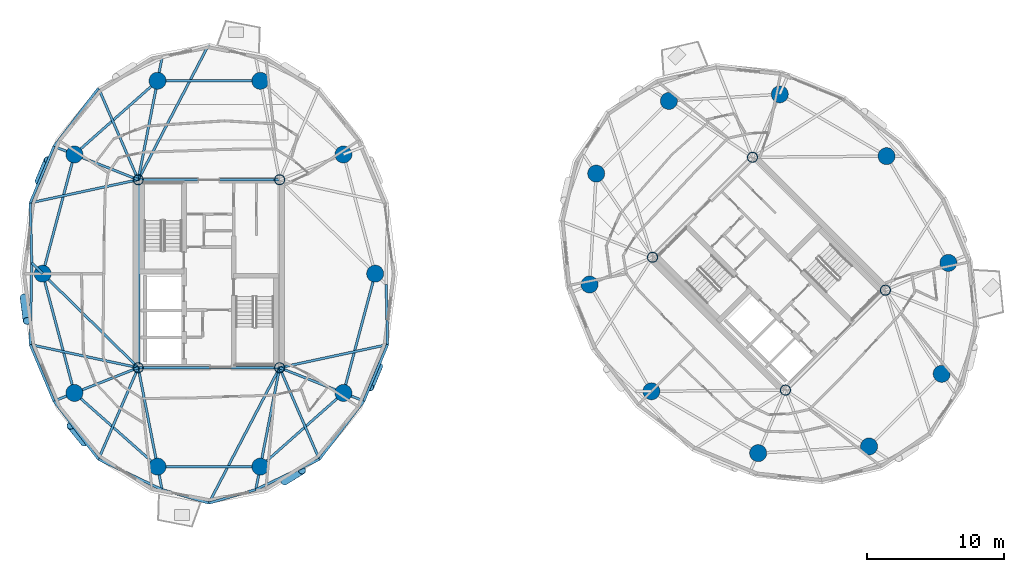
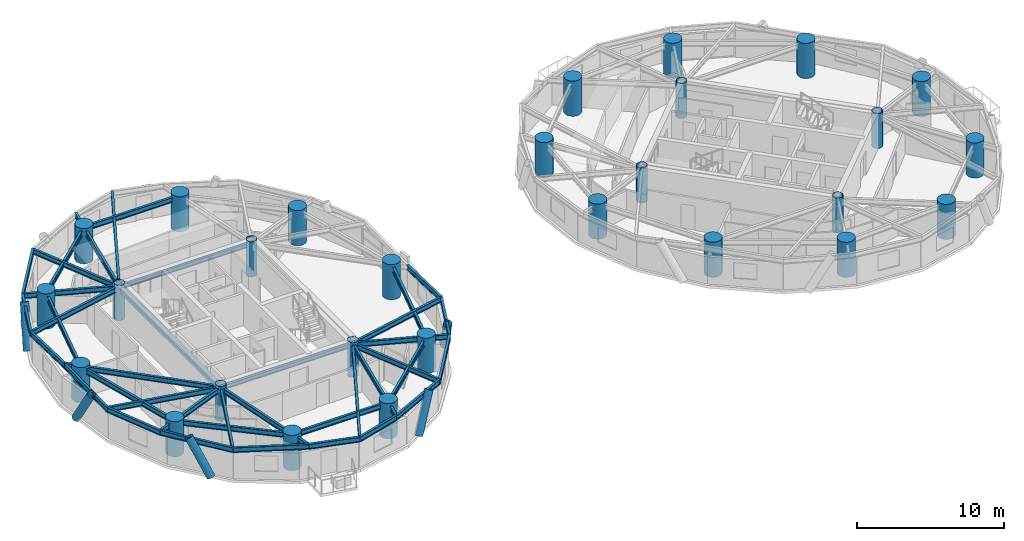
# One storey, part 1 of 16: 40 beams, 28 columns, 5 members.
"""IFC4 building model written with IfcOpenShell, lengths in metres."""

import ifcopenshell
import ifcopenshell.guid

model = None  # the IFC model being written
_history = None  # IfcOwnerHistory: only IFC2X3 demands one
_inside = {}  # id of a spatial element -> (the spatial element, [elements in it])
_under = {}  # id of a project, library or spatial element -> (it, [spatial elements below it])
_declared = {}  # id of a project -> (the project, [libraries it declares])
_typed = {}  # id of a type object -> (the type object, [elements of that type])
_made_of = {}  # id of a material, layer set ... -> (it, [elements and type objects made of it])


def new_model(schema):
    """Start an empty IFC model of exactly this schema.

    Asked for "IFC4X3", IfcOpenShell would pick the latest addendum, in which some entities
    have other attributes; the version numbers below select the first issue.
    IFC2X3 requires an IfcOwnerHistory on every rooted entity: one is made here for all.
    """
    global model, _history
    if schema == "IFC4X3":
        model = ifcopenshell.file(schema_version=(4, 3, 0, 0))
    else:
        model = ifcopenshell.file(schema=schema)
    _inside.clear()
    _under.clear()
    _declared.clear()
    _typed.clear()
    _made_of.clear()
    _history = None
    if model.schema == "IFC2X3":
        org = make("IfcOrganization", Name="unknown")
        user = make(
            "IfcPersonAndOrganization",
            ThePerson=make("IfcPerson", FamilyName="unknown"),
            TheOrganization=org,
        )
        app = make(
            "IfcApplication",
            ApplicationDeveloper=org,
            Version="unknown",
            ApplicationFullName="unknown",
            ApplicationIdentifier="unknown",
        )
        _history = make(
            "IfcOwnerHistory",
            OwningUser=user,
            OwningApplication=app,
            ChangeAction="ADDED",
            CreationDate=0,
        )
    return model


def make(cls, **values):
    """One entity of the class cls with the attributes given. An attribute that is None is left unset."""
    return model.create_entity(
        cls, **{name: value for name, value in values.items() if value is not None}
    )


def rooted(cls, **values):
    """An entity with a GlobalId (a new one), such as an element, a storey or a relation."""
    return make(cls, GlobalId=ifcopenshell.guid.new(), OwnerHistory=_history, **values)


def si_unit(unit_type, name, prefix=None):
    """IfcSIUnit, for example si_unit("LENGTHUNIT", "METRE", prefix="MILLI")."""
    return make("IfcSIUnit", UnitType=unit_type, Prefix=prefix, Name=name)


def assignment(units):
    """IfcUnitAssignment: the units of a project."""
    return None if units is None else make("IfcUnitAssignment", Units=units)


def point(xyz):
    """IfcCartesianPoint."""
    return None if xyz is None else make("IfcCartesianPoint", Coordinates=xyz)


def direction(xyz):
    """IfcDirection."""
    return None if xyz is None else make("IfcDirection", DirectionRatios=xyz)


def frame(location, z_axis=None, x_axis=None):
    """IfcAxis2Placement3D, a coordinate frame: its origin and axes. An axis left out is left unset."""
    return make(
        "IfcAxis2Placement3D",
        Location=point(location),
        Axis=direction(z_axis),
        RefDirection=direction(x_axis),
    )


def frame_2d(location, x_axis=None):
    """IfcAxis2Placement2D, a coordinate frame in the plane: its origin and x axis."""
    return make(
        "IfcAxis2Placement2D", Location=point(location), RefDirection=direction(x_axis)
    )


def origin():
    """The frame at (0, 0, 0) with its axes left unset."""
    return frame((0.0, 0.0, 0.0))


def origin_2d():
    """The frame at (0, 0) in the plane with its x axis left unset."""
    return frame_2d((0.0, 0.0))


def place(relative_to, where):
    """IfcLocalPlacement: puts the frame where relative to a parent placement (None: the world)."""
    return make(
        "IfcLocalPlacement", PlacementRelTo=relative_to, RelativePlacement=where
    )


def context(
    kind, dimensions, precision=None, world=None, true_north=None, identifier=None
):
    """IfcGeometricRepresentationContext, for example the 3D "Model" context."""
    return make(
        "IfcGeometricRepresentationContext",
        ContextIdentifier=identifier,
        ContextType=kind,
        CoordinateSpaceDimension=dimensions,
        Precision=precision,
        WorldCoordinateSystem=world,
        TrueNorth=true_north,
    )


def subcontext(parent, identifier, kind, view, scale=None):
    """IfcGeometricRepresentationSubContext, for example "Body" below "Model"."""
    return make(
        "IfcGeometricRepresentationSubContext",
        ContextIdentifier=identifier,
        ContextType=kind,
        ParentContext=parent,
        TargetScale=scale,
        TargetView=view,
    )


def project(units=None, contexts=None):
    """IfcProject with its units and contexts."""
    return rooted(
        "IfcProject",
        Name="project",
        RepresentationContexts=contexts,
        UnitsInContext=assignment(units),
    )


def spatial(cls, under=None, at=None, **own):
    """A site, building, storey or space (cls), placed at a placement, below another one or the project."""
    s = rooted(cls, ObjectPlacement=at, **own)
    if under is not None:
        _under.setdefault(under.id(), (under, []))[1].append(s)
    return s


def profile(cls, at=None, kind="AREA", **sizes):
    """A parametric profile (cls). Its sizes go by their IFC names, for example OverallWidth=200.0."""
    return make(cls, ProfileType=kind, Position=at, **sizes)


def hollow_rectangle(**sizes):
    """IfcRectangleHollowProfileDef."""
    return profile("IfcRectangleHollowProfileDef", **sizes)


def circle(**sizes):
    """IfcCircleProfileDef."""
    return profile("IfcCircleProfileDef", **sizes)


def hollow_circle(**sizes):
    """IfcCircleHollowProfileDef."""
    return profile("IfcCircleHollowProfileDef", **sizes)


def i_section(**sizes):
    """IfcIShapeProfileDef."""
    return profile("IfcIShapeProfileDef", **sizes)


def extrude(swept, where, along, depth):
    """IfcExtrudedAreaSolid: the profile swept, set in the frame where, extruded along a direction by depth."""
    return make(
        "IfcExtrudedAreaSolid",
        SweptArea=swept,
        Position=where,
        ExtrudedDirection=direction(along),
        Depth=depth,
    )


def shape(context_of_items, identifier, shape_type, items):
    """IfcShapeRepresentation: the items that make up one representation, for example the "Body"."""
    return make(
        "IfcShapeRepresentation",
        ContextOfItems=context_of_items,
        RepresentationIdentifier=identifier,
        RepresentationType=shape_type,
        Items=items,
    )


def material(Name=None, Category=None):
    """IfcMaterial."""
    return make("IfcMaterial", Name=Name, Category=Category)


def material_profile(
    of_material, cross_section, Name=None, Category=None, Priority=None
):
    """IfcMaterialProfile: a cross section and its material."""
    return make(
        "IfcMaterialProfile",
        Name=Name,
        Material=of_material,
        Profile=cross_section,
        Priority=Priority,
        Category=Category,
    )


def profile_set(profiles, Name=None, composite=None):
    """IfcMaterialProfileSet."""
    return make(
        "IfcMaterialProfileSet",
        Name=Name,
        MaterialProfiles=profiles,
        CompositeProfile=composite,
    )


def made_of(thing, what):
    """Note that an element or type object is made of a material, layer set ...; save() writes the relation."""
    if what is not None:
        _made_of.setdefault(what.id(), (what, []))[1].append(thing)
    return thing


def type_object(cls, material=None, **own):
    """A type object (cls), such as IfcWallType, which elements share."""
    return made_of(rooted(cls, **own), material)


def element(
    cls,
    number,
    at=None,
    inside=None,
    cuts=None,
    type_object=None,
    material=None,
    context=None,
    identifier="Body",
    shape_type=None,
    held_by="IfcProductDefinitionShape",
    body=None,
    shapes=None,
    **own,
):
    """One element of the class cls, such as IfcWall. Its Tag is "e" and its number.

    at: its placement. inside: the storey or other place that contains it. cuts: it is an
    opening in that element (IfcRelVoidsElement). A single representation is given by context,
    identifier, shape_type and body (its items); several are given by shapes. held_by: the class
    of the entity that holds the representations. save() writes the other relations.
    """
    e = rooted(cls, Tag="e%d" % number, ObjectPlacement=at, **own)
    if body is not None:
        shapes = [shape(context, identifier, shape_type, body)]
    if shapes is not None:
        e.Representation = make(held_by, Representations=shapes)
    if inside is not None:
        _inside.setdefault(inside.id(), (inside, []))[1].append(e)
    if cuts is not None:
        rooted(
            "IfcRelVoidsElement", RelatingBuildingElement=cuts, RelatedOpeningElement=e
        )
    if type_object is not None:
        _typed.setdefault(type_object.id(), (type_object, []))[1].append(e)
    return made_of(e, material)


def aggregate(whole, parts):
    """IfcRelAggregates: a whole, such as a stair, and the parts it consists of."""
    return rooted("IfcRelAggregates", RelatingObject=whole, RelatedObjects=parts)


def save(model, path):
    """Write the relations noted so far, then the file.

    IfcRelAggregates (storeys below a building ...), IfcRelContainedInSpatialStructure (elements
    in a storey), IfcRelDefinesByType, IfcRelAssociatesMaterial and IfcRelDeclares: one each for
    every whole, place, type object, material and project.
    """
    for whole, parts in _under.values():
        aggregate(whole, parts)
    for where, things in _inside.values():
        rooted(
            "IfcRelContainedInSpatialStructure",
            RelatedElements=things,
            RelatingStructure=where,
        )
    for kind, things in _typed.values():
        rooted("IfcRelDefinesByType", RelatedObjects=things, RelatingType=kind)
    for what, things in _made_of.values():
        rooted("IfcRelAssociatesMaterial", RelatedObjects=things, RelatingMaterial=what)
    for by, libraries in _declared.values():
        rooted("IfcRelDeclares", RelatingContext=by, RelatedDefinitions=libraries)
    model.write(path)


model = new_model("IFC4")

# Units and contexts
model_context = context("Model", 3, precision=1e-05, world=origin(), true_north=direction((0.0, 1.0)))
body_context = subcontext(model_context, "Body", "Model", "MODEL_VIEW")
ifc_project = project(units=[si_unit("LENGTHUNIT", "METRE"), si_unit("AREAUNIT", "SQUARE_METRE"), si_unit("VOLUMEUNIT", "CUBIC_METRE"), si_unit("PLANEANGLEUNIT", "RADIAN"), si_unit("MASSUNIT", "GRAM", prefix="KILO")], contexts=[model_context])

# Site, building, storey
site_placement = place(None, origin())
site = spatial("IfcSite", under=ifc_project, at=site_placement, CompositionType="ELEMENT")
building_placement = place(site_placement, origin())
building = spatial("IfcBuilding", under=site, at=building_placement, Name="Cununo Teusaquillo Station Towers", CompositionType="ELEMENT")
storey_placement = place(building_placement, frame((0.0, 0.0, 171.969970703125)))
storey = spatial("IfcBuildingStorey", under=building, at=storey_placement, Name="L54", CompositionType="ELEMENT", Elevation=171.969970703125)

# Columns
ifc_material_1 = material(Name="Steel EN 10025-2 S355J2", Category="steel")
ifc_material_profile_1 = material_profile(ifc_material_1, hollow_circle(Radius=0.3798828125, WallThickness=0.031982421875, at=origin_2d()), Name="CHS 760x32")
ifc_profile_set_1 = profile_set([ifc_material_profile_1], Name="Steel EN 10025-2 S355J2")
column_type_1 = type_object("IfcColumnType", Name="COL-CORE-Z2", PredefinedType="COLUMN", material=ifc_profile_set_1)
for number, where, z_axis, x_axis, name in (
    (1, (11.324951171875, 17.6201171875, 0.0), (0.0, 0.0, 1.0), (1.0, 0.0, 0.0), "L54 Tower A Core Column 1"),
    (2, (11.324951171875, 31.3798828125, 0.0), (0.0, 0.0, 1.0), (1.0, 0.0, 0.0), "L54 Tower A Core Column 2"),
    (3, (21.675048828125, 17.6201171875, 0.0), (0.0, 0.0, 1.0), (1.0, 0.0, 0.0), "L54 Tower A Core Column 3"),
    (4, (21.675048828125, 31.3798828125, 0.0), (0.0, 0.0, 1.0), (1.0, 0.0, 0.0), "L54 Tower A Core Column 4"),
    (5, (58.70556640625, 15.975830078125, 0.0), (0.0, 0.0, 1.0), (0.707106781187, 0.707106781187, 0.0), "L54 Tower B Core Column 1"),
    (6, (48.975830078125, 25.70556640625, 0.0), (0.0, 0.0, 1.0), (0.707106781187, 0.707106781187, 0.0), "L54 Tower B Core Column 2"),
    (7, (66.024169921875, 23.29443359375, 0.0), (0.0, 0.0, 1.0), (0.707106781187, 0.707106781187, 0.0), "L54 Tower B Core Column 3"),
    (8, (56.29443359375, 33.024169921875, 0.0), (0.0, 0.0, 1.0), (0.707106781187, 0.707106781187, 0.0), "L54 Tower B Core Column 4"),
):
    element("IfcColumn", number, at=place(storey_placement, frame(where, z_axis=z_axis, x_axis=x_axis)), inside=storey, type_object=column_type_1, Name=name, PredefinedType="COLUMN", context=body_context, shape_type="SweptSolid", body=[
        extrude(hollow_circle(Radius=0.3798828125, WallThickness=0.031982421875, at=origin_2d()), origin(), (0.0, 0.0, 1.0), 2.909912109375),
    ])
ifc_material_2 = material(Name="Concrete C60/75", Category="concrete")
ifc_material_profile_2 = material_profile(ifc_material_2, circle(Radius=0.625, at=origin_2d()), Name="RC-CIRC-1250")
ifc_profile_set_2 = profile_set([ifc_material_profile_2], Name="Concrete C60/75")
column_type_2 = type_object("IfcColumnType", Name="COL-MEGA-Z3", PredefinedType="USERDEFINED", material=ifc_profile_set_2)
for number, where, z_axis, x_axis, name in (
    (9, (28.672119140625, 24.5, 0.0), (0.0, 0.0, 1.0), (1.0, 0.0, 0.0), "L54 Tower A Perimeter Column V00"),
    (10, (26.347412109375, 33.228515625, 0.0), (0.0, 0.0, 1.0), (1.0, 0.0, 0.0), "L54 Tower A Perimeter Column V02"),
    (11, (20.261474609375, 38.623291015625, 0.0), (0.0, 0.0, 1.0), (1.0, 0.0, 0.0), "L54 Tower A Perimeter Column V04"),
    (12, (12.738525390625, 38.623291015625, 0.0), (0.0, 0.0, 1.0), (1.0, 0.0, 0.0), "L54 Tower A Perimeter Column V06"),
    (13, (6.652587890625, 33.228515625, 0.0), (0.0, 0.0, 1.0), (1.0, 0.0, 0.0), "L54 Tower A Perimeter Column V08"),
    (14, (4.327880859375, 24.5, 0.0), (0.0, 0.0, 1.0), (1.0, 0.0, 0.0), "L54 Tower A Perimeter Column V10"),
    (15, (6.652587890625, 15.771484375, 0.0), (0.0, 0.0, 1.0), (1.0, 0.0, 0.0), "L54 Tower A Perimeter Column V12"),
    (16, (12.738525390625, 10.376708984375, 0.0), (0.0, 0.0, 1.0), (1.0, 0.0, 0.0), "L54 Tower A Perimeter Column V14"),
    (17, (20.261474609375, 10.376708984375, 0.0), (0.0, 0.0, 1.0), (1.0, 0.0, 0.0), "L54 Tower A Perimeter Column V16"),
    (18, (26.347412109375, 15.771484375, 0.0), (0.0, 0.0, 1.0), (1.0, 0.0, 0.0), "L54 Tower A Perimeter Column V18"),
    (19, (66.10693359375, 33.10693359375, 0.0), (0.0, 0.0, 1.0), (1.0, 0.0, 0.0), "L54 Tower B Perimeter Column V00"),
    (20, (58.291015625, 37.63525390625, 0.0), (0.0, 0.0, 1.0), (1.0, 0.0, 0.0), "L54 Tower B Perimeter Column V02"),
    (21, (50.173095703125, 37.146240234375, 0.0), (0.0, 0.0, 1.0), (1.0, 0.0, 0.0), "L54 Tower B Perimeter Column V04"),
    (22, (44.853759765625, 31.826904296875, 0.0), (0.0, 0.0, 1.0), (1.0, 0.0, 0.0), "L54 Tower B Perimeter Column V06"),
    (23, (44.36474609375, 23.708984375, 0.0), (0.0, 0.0, 1.0), (1.0, 0.0, 0.0), "L54 Tower B Perimeter Column V08"),
    (24, (48.89306640625, 15.89306640625, 0.0), (0.0, 0.0, 1.0), (1.0, 0.0, 0.0), "L54 Tower B Perimeter Column V10"),
    (25, (56.708984375, 11.36474609375, 0.0), (0.0, 0.0, 1.0), (1.0, 0.0, 0.0), "L54 Tower B Perimeter Column V12"),
    (26, (64.826904296875, 11.853759765625, 0.0), (0.0, 0.0, 1.0), (1.0, 0.0, 0.0), "L54 Tower B Perimeter Column V14"),
    (27, (70.146240234375, 17.173095703125, 0.0), (0.0, 0.0, 1.0), (1.0, 0.0, 0.0), "L54 Tower B Perimeter Column V16"),
    (28, (70.63525390625, 25.291015625, 0.0), (0.0, 0.0, 1.0), (1.0, 0.0, 0.0), "L54 Tower B Perimeter Column V18"),
):
    element("IfcColumn", number, at=place(storey_placement, frame(where, z_axis=z_axis, x_axis=x_axis)), inside=storey, type_object=column_type_2, Name=name, ObjectType="MEGA COLUMN", PredefinedType="USERDEFINED", context=body_context, shape_type="SweptSolid", body=[
        extrude(circle(Radius=0.625, at=origin_2d()), origin(), (0.0, 0.0, 1.0), 2.909912109375),
    ])

# Beams
ifc_material_3 = material(Name="Steel EN 10025-2 S355J2", Category="steel")
ifc_material_profile_3 = material_profile(ifc_material_3, hollow_rectangle(XDim=0.25, YDim=0.449951171875, WallThickness=0.01611328125, at=origin_2d()), Name="RHS 450x250x16")
ifc_profile_set_3 = profile_set([ifc_material_profile_3], Name="Steel EN 10025-2 S355J2")
beam_type_1 = type_object("IfcBeamType", Name="BM-COUP-1", PredefinedType="USERDEFINED", material=ifc_profile_set_3)
beam_1_placement = place(storey_placement, frame((11.324951171875, 17.6201171875, 2.465087890625), z_axis=(0.0, 1.0, 0.0), x_axis=(-1.0, 0.0, 0.0)))
element("IfcBeam", 29, at=beam_1_placement, inside=storey, type_object=beam_type_1, Name="L54 Tower A Core Beam 1", ObjectType="COUPLING BEAM", PredefinedType="USERDEFINED", context=body_context, shape_type="SweptSolid", body=[
    extrude(hollow_rectangle(XDim=0.25, YDim=0.449951171875, WallThickness=0.01611328125, at=origin_2d()), origin(), (0.0, 0.0, 1.0), 13.759765625),
])
ifc_material_4 = material(Name="Steel ASTM A572 Grade 50", Category="steel")
ifc_material_profile_4 = material_profile(ifc_material_4, i_section(OverallWidth=0.180908203125, OverallDepth=0.4169921875, WebThickness=0.010986328125, FlangeThickness=0.018310546875, FilletRadius=0.012939453125, at=origin_2d()), Name="W16X57")
ifc_profile_set_4 = profile_set([ifc_material_profile_4], Name="Steel ASTM A572 Grade 50")
beam_type_2 = type_object("IfcBeamType", Name="BM-JOIST-1", PredefinedType="JOIST", material=ifc_profile_set_4)
beam_2_placement = place(storey_placement, frame((11.324951171875, 31.3798828125, 2.4814453125), z_axis=(0.462884645231, 0.886418527113, 0.0), x_axis=(-0.886418527113, 0.462884645231, 0.0)))
element("IfcBeam", 30, at=beam_2_placement, inside=storey, type_object=beam_type_2, Name="L54 Tower A Radial Spandrel Joist V05", PredefinedType="JOIST", context=body_context, shape_type="SweptSolid", body=[
    extrude(i_section(OverallWidth=0.180908203125, OverallDepth=0.4169921875, WebThickness=0.010986328125, FlangeThickness=0.018310546875, FilletRadius=0.012939453125, at=origin_2d()), origin(), (0.0, 0.0, 1.0), 11.179931640625),
])
beam_3_placement = place(storey_placement, frame((11.324951171875, 31.3798828125, 2.4814453125), z_axis=(-0.397903718051, 0.917427180304, 0.0), x_axis=(-0.917427180304, -0.397903718051, 0.0)))
element("IfcBeam", 31, at=beam_3_placement, inside=storey, type_object=beam_type_2, Name="L54 Tower A Radial Spandrel Joist V07", PredefinedType="JOIST", context=body_context, shape_type="SweptSolid", body=[
    extrude(i_section(OverallWidth=0.180908203125, OverallDepth=0.4169921875, WebThickness=0.010986328125, FlangeThickness=0.018310546875, FilletRadius=0.012939453125, at=origin_2d()), origin(), (0.0, 0.0, 1.0), 7.306884765625),
])
for number, where, z_axis, x_axis, name in (
    (32, (11.324951171875, 31.3798828125, 2.4814453125), (-0.977854548984, -0.209285644589, 0.0), (0.209285644589, -0.977854548984, 0.0), "L54 Tower A Radial Spandrel Joist V09"),
    (33, (11.324951171875, 17.6201171875, 2.4814453125), (-0.977854548984, 0.209285644589, 0.0), (-0.209285644589, -0.977854548984, 0.0), "L54 Tower A Radial Spandrel Joist V11"),
):
    element("IfcBeam", number, at=place(storey_placement, frame(where, z_axis=z_axis, x_axis=x_axis)), inside=storey, type_object=beam_type_2, Name=name, PredefinedType="JOIST", context=body_context, shape_type="SweptSolid", body=[
        extrude(i_section(OverallWidth=0.180908203125, OverallDepth=0.4169921875, WebThickness=0.010986328125, FlangeThickness=0.018310546875, FilletRadius=0.012939453125, at=origin_2d()), origin(), (0.0, 0.0, 1.0), 8.081787109375),
    ])
beam_4_placement = place(storey_placement, frame((11.324951171875, 17.6201171875, 2.4814453125), z_axis=(-0.397903718051, -0.917427180304, 0.0), x_axis=(0.917427180304, -0.397903718051, 0.0)))
element("IfcBeam", 34, at=beam_4_placement, inside=storey, type_object=beam_type_2, Name="L54 Tower A Radial Spandrel Joist V13", PredefinedType="JOIST", context=body_context, shape_type="SweptSolid", body=[
    extrude(i_section(OverallWidth=0.180908203125, OverallDepth=0.4169921875, WebThickness=0.010986328125, FlangeThickness=0.018310546875, FilletRadius=0.012939453125, at=origin_2d()), origin(), (0.0, 0.0, 1.0), 7.306884765625),
])
beam_5_placement = place(storey_placement, frame((21.675048828125, 17.6201171875, 2.4814453125), z_axis=(-0.462884645231, -0.886418527113, 0.0), x_axis=(0.886418527113, -0.462884645231, 0.0)))
element("IfcBeam", 35, at=beam_5_placement, inside=storey, type_object=beam_type_2, Name="L54 Tower A Radial Spandrel Joist V15", PredefinedType="JOIST", context=body_context, shape_type="SweptSolid", body=[
    extrude(i_section(OverallWidth=0.180908203125, OverallDepth=0.4169921875, WebThickness=0.010986328125, FlangeThickness=0.018310546875, FilletRadius=0.012939453125, at=origin_2d()), origin(), (0.0, 0.0, 1.0), 11.179931640625),
])
beam_6_placement = place(storey_placement, frame((21.675048828125, 17.6201171875, 2.4814453125), z_axis=(0.397903718051, -0.917427180304, 0.0), x_axis=(0.917427180304, 0.397903718051, 0.0)))
element("IfcBeam", 36, at=beam_6_placement, inside=storey, type_object=beam_type_2, Name="L54 Tower A Radial Spandrel Joist V17", PredefinedType="JOIST", context=body_context, shape_type="SweptSolid", body=[
    extrude(i_section(OverallWidth=0.180908203125, OverallDepth=0.4169921875, WebThickness=0.010986328125, FlangeThickness=0.018310546875, FilletRadius=0.012939453125, at=origin_2d()), origin(), (0.0, 0.0, 1.0), 7.306884765625),
])
beam_7_placement = place(storey_placement, frame((21.675048828125, 17.6201171875, 2.4814453125), z_axis=(0.977854548984, 0.209285644589, 0.0), x_axis=(-0.209285644589, 0.977854548984, 0.0)))
element("IfcBeam", 37, at=beam_7_placement, inside=storey, type_object=beam_type_2, Name="L54 Tower A Radial Spandrel Joist V19", PredefinedType="JOIST", context=body_context, shape_type="SweptSolid", body=[
    extrude(i_section(OverallWidth=0.180908203125, OverallDepth=0.4169921875, WebThickness=0.010986328125, FlangeThickness=0.018310546875, FilletRadius=0.012939453125, at=origin_2d()), origin(), (0.0, 0.0, 1.0), 8.081787109375),
])
ifc_material_5 = material(Name="Steel ASTM A572 Grade 50", Category="steel")
ifc_material_profile_5 = material_profile(ifc_material_5, i_section(OverallWidth=0.2041015625, OverallDepth=0.35009765625, WebThickness=0.008544921875, FlangeThickness=0.01513671875, FilletRadius=0.011962890625, at=origin_2d()), Name="W14X48")
ifc_profile_set_5 = profile_set([ifc_material_profile_5], Name="Steel ASTM A572 Grade 50")
beam_type_3 = type_object("IfcBeamType", Name="BM-LINTEL-1", PredefinedType="LINTEL", material=ifc_profile_set_5)
for number, where, z_axis, x_axis, name in (
    (38, (11.324951171875, 17.6201171875, 2.51513671875), (1.0, 0.0, 0.0), (0.0, 1.0, 0.0), "L54 Tower A Core Beam 3"),
    (39, (11.324951171875, 31.3798828125, 2.51513671875), (1.0, 0.0, 0.0), (0.0, 1.0, 0.0), "L54 Tower A Core Beam 4"),
):
    element("IfcBeam", number, at=place(storey_placement, frame(where, z_axis=z_axis, x_axis=x_axis)), inside=storey, type_object=beam_type_3, Name=name, PredefinedType="LINTEL", context=body_context, shape_type="SweptSolid", body=[
        extrude(i_section(OverallWidth=0.2041015625, OverallDepth=0.35009765625, WebThickness=0.008544921875, FlangeThickness=0.01513671875, FilletRadius=0.011962890625, at=origin_2d()), origin(), (0.0, 0.0, 1.0), 10.35009765625),
    ])
ifc_material_6 = material(Name="Steel ASTM A572 Grade 50", Category="steel")
ifc_material_profile_6 = material_profile(ifc_material_6, i_section(OverallWidth=0.180908203125, OverallDepth=0.4169921875, WebThickness=0.010986328125, FlangeThickness=0.018310546875, FilletRadius=0.012939453125, at=origin_2d()), Name="W16X57")
ifc_profile_set_6 = profile_set([ifc_material_profile_6], Name="Steel ASTM A572 Grade 50")
beam_type_4 = type_object("IfcBeamType", Name="BM-RAD-G2", PredefinedType="BEAM", material=ifc_profile_set_6)
beam_8_placement = place(storey_placement, frame((11.324951171875, 31.3798828125, 2.4814453125), z_axis=(0.191557018874, 0.981481486591, 0.0), x_axis=(-0.981481486591, 0.191557018874, 0.0)))
element("IfcBeam", 40, at=beam_8_placement, inside=storey, type_object=beam_type_4, Name="L54 Tower A Continuous Overhanging Radial Girder 04", PredefinedType="BEAM", context=body_context, shape_type="SweptSolid", body=[
    extrude(i_section(OverallWidth=0.180908203125, OverallDepth=0.4169921875, WebThickness=0.010986328125, FlangeThickness=0.018310546875, FilletRadius=0.012939453125, at=origin_2d()), origin(), (0.0, 0.0, 1.0), 9.097412109375),
])
beam_9_placement = place(storey_placement, frame((11.324951171875, 31.3798828125, 2.4814453125), z_axis=(-0.929866438974, 0.367897275974, 0.0), x_axis=(-0.367897275974, -0.929866438974, 0.0)))
element("IfcBeam", 41, at=beam_9_placement, inside=storey, type_object=beam_type_4, Name="L54 Tower A Continuous Overhanging Radial Girder 05", PredefinedType="BEAM", context=body_context, shape_type="SweptSolid", body=[
    extrude(i_section(OverallWidth=0.180908203125, OverallDepth=0.4169921875, WebThickness=0.010986328125, FlangeThickness=0.018310546875, FilletRadius=0.012939453125, at=origin_2d()), origin(), (0.0, 0.0, 1.0), 6.632080078125),
])
beam_10_placement = place(storey_placement, frame((11.324951171875, 17.6201171875, 2.4814453125), z_axis=(-0.713052701438, 0.701110437073, 0.0), x_axis=(-0.701110437073, -0.713052701438, 0.0)))
element("IfcBeam", 42, at=beam_10_placement, inside=storey, type_object=beam_type_4, Name="L54 Tower A Radial Girder 06A", PredefinedType="BEAM", context=body_context, shape_type="SweptSolid", body=[
    extrude(i_section(OverallWidth=0.180908203125, OverallDepth=0.4169921875, WebThickness=0.010986328125, FlangeThickness=0.018310546875, FilletRadius=0.012939453125, at=origin_2d()), origin(), (0.0, 0.0, 1.0), 9.812744140625),
])
beam_11_placement = place(storey_placement, frame((4.327880859375, 24.5, 2.4814453125), z_axis=(-0.713045362701, 0.701117900734, 0.0), x_axis=(-0.701117900734, -0.713045362701, 0.0)))
element("IfcBeam", 43, at=beam_11_placement, inside=storey, type_object=beam_type_4, Name="L54 Tower A Perimeter Overhang Girder 06B", PredefinedType="BEAM", context=body_context, shape_type="SweptSolid", body=[
    extrude(i_section(OverallWidth=0.180908203125, OverallDepth=0.4169921875, WebThickness=0.010986328125, FlangeThickness=0.018310546875, FilletRadius=0.012939453125, at=origin_2d()), origin(), (0.0, 0.0, 1.0), 1.125732421875),
])
beam_12_placement = place(storey_placement, frame((11.324951171875, 17.6201171875, 2.4814453125), z_axis=(-0.929866438974, -0.367897275974, 0.0), x_axis=(0.367897275974, -0.929866438974, 0.0)))
element("IfcBeam", 44, at=beam_12_placement, inside=storey, type_object=beam_type_4, Name="L54 Tower A Continuous Overhanging Radial Girder 07", PredefinedType="BEAM", context=body_context, shape_type="SweptSolid", body=[
    extrude(i_section(OverallWidth=0.180908203125, OverallDepth=0.4169921875, WebThickness=0.010986328125, FlangeThickness=0.018310546875, FilletRadius=0.012939453125, at=origin_2d()), origin(), (0.0, 0.0, 1.0), 6.632080078125),
])
for number, where, z_axis, x_axis, name in (
    (45, (11.324951171875, 17.6201171875, 2.4814453125), (0.191557018874, -0.981481486591, 0.0), (0.981481486591, 0.191557018874, 0.0), "L54 Tower A Continuous Overhanging Radial Girder 08"),
    (46, (21.675048828125, 17.6201171875, 2.4814453125), (-0.191557018874, -0.981481486591, 0.0), (0.981481486591, -0.191557018874, 0.0), "L54 Tower A Continuous Overhanging Radial Girder 09"),
):
    element("IfcBeam", number, at=place(storey_placement, frame(where, z_axis=z_axis, x_axis=x_axis)), inside=storey, type_object=beam_type_4, Name=name, PredefinedType="BEAM", context=body_context, shape_type="SweptSolid", body=[
        extrude(i_section(OverallWidth=0.180908203125, OverallDepth=0.4169921875, WebThickness=0.010986328125, FlangeThickness=0.018310546875, FilletRadius=0.012939453125, at=origin_2d()), origin(), (0.0, 0.0, 1.0), 9.097412109375),
    ])
beam_13_placement = place(storey_placement, frame((21.675048828125, 17.6201171875, 2.4814453125), z_axis=(0.929866438974, -0.367897275974, 0.0), x_axis=(0.367897275974, 0.929866438974, 0.0)))
element("IfcBeam", 47, at=beam_13_placement, inside=storey, type_object=beam_type_4, Name="L54 Tower A Continuous Overhanging Radial Girder 10", PredefinedType="BEAM", context=body_context, shape_type="SweptSolid", body=[
    extrude(i_section(OverallWidth=0.180908203125, OverallDepth=0.4169921875, WebThickness=0.010986328125, FlangeThickness=0.018310546875, FilletRadius=0.012939453125, at=origin_2d()), origin(), (0.0, 0.0, 1.0), 6.632080078125),
])
ifc_material_7 = material(Name="Steel ASTM A572 Grade 50", Category="steel")
ifc_material_profile_7 = material_profile(ifc_material_7, i_section(OverallWidth=0.180908203125, OverallDepth=0.4169921875, WebThickness=0.010986328125, FlangeThickness=0.018310546875, FilletRadius=0.012939453125, at=origin_2d()), Name="W16X57")
ifc_profile_set_7 = profile_set([ifc_material_profile_7], Name="Steel ASTM A572 Grade 50")
beam_type_5 = type_object("IfcBeamType", Name="BM-RING-Z3", PredefinedType="SPANDREL", material=ifc_profile_set_7)
beam_14_placement = place(storey_placement, frame((20.261474609375, 38.623291015625, 2.4814453125), z_axis=(-1.0, 0.0, 0.0), x_axis=(0.0, -1.0, 0.0)))
element("IfcBeam", 48, at=beam_14_placement, inside=storey, type_object=beam_type_5, Name="L54 Tower A Structural Column Ring Girder 03", PredefinedType="SPANDREL", context=body_context, shape_type="SweptSolid", body=[
    extrude(i_section(OverallWidth=0.180908203125, OverallDepth=0.4169921875, WebThickness=0.010986328125, FlangeThickness=0.018310546875, FilletRadius=0.012939453125, at=origin_2d()), origin(), (0.0, 0.0, 1.0), 7.52294921875),
])
beam_15_placement = place(storey_placement, frame((12.738525390625, 38.623291015625, 2.4814453125), z_axis=(-0.74832120039, -0.66333655187, 0.0), x_axis=(0.66333655187, -0.74832120039, 0.0)))
element("IfcBeam", 49, at=beam_15_placement, inside=storey, type_object=beam_type_5, Name="L54 Tower A Structural Column Ring Girder 04", PredefinedType="SPANDREL", context=body_context, shape_type="SweptSolid", body=[
    extrude(i_section(OverallWidth=0.180908203125, OverallDepth=0.4169921875, WebThickness=0.010986328125, FlangeThickness=0.018310546875, FilletRadius=0.012939453125, at=origin_2d()), origin(), (0.0, 0.0, 1.0), 8.1328125),
])
for number, where, z_axis, x_axis, name in (
    (50, (6.652587890625, 33.228515625, 2.4814453125), (-0.257363196347, -0.966314744359, 0.0), (0.966314744359, -0.257363196347, 0.0), "L54 Tower A Structural Column Ring Girder 05"),
    (51, (4.327880859375, 24.5, 2.4814453125), (0.257363196347, -0.966314744359, 0.0), (0.966314744359, 0.257363196347, 0.0), "L54 Tower A Structural Column Ring Girder 06"),
):
    element("IfcBeam", number, at=place(storey_placement, frame(where, z_axis=z_axis, x_axis=x_axis)), inside=storey, type_object=beam_type_5, Name=name, PredefinedType="SPANDREL", context=body_context, shape_type="SweptSolid", body=[
        extrude(i_section(OverallWidth=0.180908203125, OverallDepth=0.4169921875, WebThickness=0.010986328125, FlangeThickness=0.018310546875, FilletRadius=0.012939453125, at=origin_2d()), origin(), (0.0, 0.0, 1.0), 9.03271484375),
    ])
beam_16_placement = place(storey_placement, frame((6.652587890625, 15.771484375, 2.4814453125), z_axis=(0.74832120039, -0.66333655187, 0.0), x_axis=(0.66333655187, 0.74832120039, 0.0)))
element("IfcBeam", 52, at=beam_16_placement, inside=storey, type_object=beam_type_5, Name="L54 Tower A Structural Column Ring Girder 07", PredefinedType="SPANDREL", context=body_context, shape_type="SweptSolid", body=[
    extrude(i_section(OverallWidth=0.180908203125, OverallDepth=0.4169921875, WebThickness=0.010986328125, FlangeThickness=0.018310546875, FilletRadius=0.012939453125, at=origin_2d()), origin(), (0.0, 0.0, 1.0), 8.1328125),
])
beam_17_placement = place(storey_placement, frame((12.738525390625, 10.376708984375, 2.4814453125), z_axis=(1.0, 0.0, 0.0), x_axis=(0.0, 1.0, 0.0)))
element("IfcBeam", 53, at=beam_17_placement, inside=storey, type_object=beam_type_5, Name="L54 Tower A Structural Column Ring Girder 08", PredefinedType="SPANDREL", context=body_context, shape_type="SweptSolid", body=[
    extrude(i_section(OverallWidth=0.180908203125, OverallDepth=0.4169921875, WebThickness=0.010986328125, FlangeThickness=0.018310546875, FilletRadius=0.012939453125, at=origin_2d()), origin(), (0.0, 0.0, 1.0), 7.52294921875),
])
beam_18_placement = place(storey_placement, frame((20.261474609375, 10.376708984375, 2.4814453125), z_axis=(0.74832120039, 0.66333655187, 0.0), x_axis=(-0.66333655187, 0.74832120039, 0.0)))
element("IfcBeam", 54, at=beam_18_placement, inside=storey, type_object=beam_type_5, Name="L54 Tower A Structural Column Ring Girder 09", PredefinedType="SPANDREL", context=body_context, shape_type="SweptSolid", body=[
    extrude(i_section(OverallWidth=0.180908203125, OverallDepth=0.4169921875, WebThickness=0.010986328125, FlangeThickness=0.018310546875, FilletRadius=0.012939453125, at=origin_2d()), origin(), (0.0, 0.0, 1.0), 8.1328125),
])
beam_19_placement = place(storey_placement, frame((26.347412109375, 15.771484375, 2.4814453125), z_axis=(0.257363196347, 0.966314744359, 0.0), x_axis=(-0.966314744359, 0.257363196347, 0.0)))
element("IfcBeam", 55, at=beam_19_placement, inside=storey, type_object=beam_type_5, Name="L54 Tower A Structural Column Ring Girder 10", PredefinedType="SPANDREL", context=body_context, shape_type="SweptSolid", body=[
    extrude(i_section(OverallWidth=0.180908203125, OverallDepth=0.4169921875, WebThickness=0.010986328125, FlangeThickness=0.018310546875, FilletRadius=0.012939453125, at=origin_2d()), origin(), (0.0, 0.0, 1.0), 9.03271484375),
])
beam_20_placement = place(storey_placement, frame((8.41748046875, 38.08349609375, 2.4814453125), z_axis=(-0.607340349092, -0.794441753916, 0.0), x_axis=(0.794441753916, -0.607340349092, 0.0)))
element("IfcBeam", 56, at=beam_20_placement, inside=storey, type_object=beam_type_5, Name="L54 Tower A Spandrel Ring Beam 08", PredefinedType="SPANDREL", context=body_context, shape_type="SweptSolid", body=[
    extrude(i_section(OverallWidth=0.180908203125, OverallDepth=0.4169921875, WebThickness=0.010986328125, FlangeThickness=0.018310546875, FilletRadius=0.012939453125, at=origin_2d()), origin(), (0.0, 0.0, 1.0), 5.366943359375),
])
beam_21_placement = place(storey_placement, frame((5.157958984375, 33.81982421875, 2.4814453125), z_axis=(-0.387360300858, -0.921928412253, 0.0), x_axis=(0.921928412253, -0.387360300858, 0.0)))
element("IfcBeam", 57, at=beam_21_placement, inside=storey, type_object=beam_type_5, Name="L54 Tower A Spandrel Ring Beam 09", PredefinedType="SPANDREL", context=body_context, shape_type="SweptSolid", body=[
    extrude(i_section(OverallWidth=0.180908203125, OverallDepth=0.4169921875, WebThickness=0.010986328125, FlangeThickness=0.018310546875, FilletRadius=0.012939453125, at=origin_2d()), origin(), (0.0, 0.0, 1.0), 4.481201171875),
])
beam_22_placement = place(storey_placement, frame((3.422119140625, 29.6884765625, 2.4814453125), z_axis=(0.0234133036, -0.999725871034, 0.0), x_axis=(0.999725871034, 0.0234133036, 0.0)))
element("IfcBeam", 58, at=beam_22_placement, inside=storey, type_object=beam_type_5, Name="L54 Tower A Spandrel Ring Beam 10", PredefinedType="SPANDREL", context=body_context, shape_type="SweptSolid", body=[
    extrude(i_section(OverallWidth=0.180908203125, OverallDepth=0.4169921875, WebThickness=0.010986328125, FlangeThickness=0.018310546875, FilletRadius=0.012939453125, at=origin_2d()), origin(), (0.0, 0.0, 1.0), 4.400390625),
])
beam_23_placement = place(storey_placement, frame((3.525146484375, 25.289306640625, 2.4814453125), z_axis=(-0.017232482627, -0.999851509747, 0.0), x_axis=(0.999851509747, -0.017232482627, 0.0)))
element("IfcBeam", 59, at=beam_23_placement, inside=storey, type_object=beam_type_5, Name="L54 Tower A Spandrel Ring Beam 11", PredefinedType="SPANDREL", context=body_context, shape_type="SweptSolid", body=[
    extrude(i_section(OverallWidth=0.180908203125, OverallDepth=0.4169921875, WebThickness=0.010986328125, FlangeThickness=0.018310546875, FilletRadius=0.012939453125, at=origin_2d()), origin(), (0.0, 0.0, 1.0), 5.978759765625),
])
beam_24_placement = place(storey_placement, frame((3.422119140625, 19.3115234375, 2.4814453125), z_axis=(0.387360300858, -0.921928412253, 0.0), x_axis=(0.921928412253, 0.387360300858, 0.0)))
element("IfcBeam", 60, at=beam_24_placement, inside=storey, type_object=beam_type_5, Name="L54 Tower A Spandrel Ring Beam 12", PredefinedType="SPANDREL", context=body_context, shape_type="SweptSolid", body=[
    extrude(i_section(OverallWidth=0.180908203125, OverallDepth=0.4169921875, WebThickness=0.010986328125, FlangeThickness=0.018310546875, FilletRadius=0.012939453125, at=origin_2d()), origin(), (0.0, 0.0, 1.0), 4.481201171875),
])
beam_25_placement = place(storey_placement, frame((5.157958984375, 15.18017578125, 2.4814453125), z_axis=(0.607340349092, -0.794441753916, 0.0), x_axis=(0.794441753916, 0.607340349092, 0.0)))
element("IfcBeam", 61, at=beam_25_placement, inside=storey, type_object=beam_type_5, Name="L54 Tower A Spandrel Ring Beam 13", PredefinedType="SPANDREL", context=body_context, shape_type="SweptSolid", body=[
    extrude(i_section(OverallWidth=0.180908203125, OverallDepth=0.4169921875, WebThickness=0.010986328125, FlangeThickness=0.018310546875, FilletRadius=0.012939453125, at=origin_2d()), origin(), (0.0, 0.0, 1.0), 5.366943359375),
])
beam_26_placement = place(storey_placement, frame((8.41748046875, 10.91650390625, 2.4814453125), z_axis=(0.902031610991, -0.431669981319, 0.0), x_axis=(0.431669981319, 0.902031610991, 0.0)))
element("IfcBeam", 62, at=beam_26_placement, inside=storey, type_object=beam_type_5, Name="L54 Tower A Spandrel Ring Beam 14", PredefinedType="SPANDREL", context=body_context, shape_type="SweptSolid", body=[
    extrude(i_section(OverallWidth=0.180908203125, OverallDepth=0.4169921875, WebThickness=0.010986328125, FlangeThickness=0.018310546875, FilletRadius=0.012939453125, at=origin_2d()), origin(), (0.0, 0.0, 1.0), 5.1552734375),
])
for number, where, z_axis, x_axis, name in (
    (63, (13.067626953125, 8.691162109375, 2.4814453125), (0.961485227168, -0.274856613414, 0.0), (0.274856613414, 0.961485227168, 0.0), "L54 Tower A Spandrel Ring Beam 15"),
    (64, (16.5, 7.7099609375, 2.4814453125), (0.961485227168, 0.274856613414, 0.0), (-0.274856613414, 0.961485227168, 0.0), "L54 Tower A Spandrel Ring Beam 16"),
):
    element("IfcBeam", number, at=place(storey_placement, frame(where, z_axis=z_axis, x_axis=x_axis)), inside=storey, type_object=beam_type_5, Name=name, PredefinedType="SPANDREL", context=body_context, shape_type="SweptSolid", body=[
        extrude(i_section(OverallWidth=0.180908203125, OverallDepth=0.4169921875, WebThickness=0.010986328125, FlangeThickness=0.018310546875, FilletRadius=0.012939453125, at=origin_2d()), origin(), (0.0, 0.0, 1.0), 3.56982421875),
    ])
beam_27_placement = place(storey_placement, frame((19.932373046875, 8.691162109375, 2.4814453125), z_axis=(0.902031610991, 0.431669981319, 0.0), x_axis=(-0.431669981319, 0.902031610991, 0.0)))
element("IfcBeam", 65, at=beam_27_placement, inside=storey, type_object=beam_type_5, Name="L54 Tower A Spandrel Ring Beam 17", PredefinedType="SPANDREL", context=body_context, shape_type="SweptSolid", body=[
    extrude(i_section(OverallWidth=0.180908203125, OverallDepth=0.4169921875, WebThickness=0.010986328125, FlangeThickness=0.018310546875, FilletRadius=0.012939453125, at=origin_2d()), origin(), (0.0, 0.0, 1.0), 5.1552734375),
])
beam_28_placement = place(storey_placement, frame((24.58251953125, 10.91650390625, 2.4814453125), z_axis=(0.607340349092, 0.794441753916, 0.0), x_axis=(-0.794441753916, 0.607340349092, 0.0)))
element("IfcBeam", 66, at=beam_28_placement, inside=storey, type_object=beam_type_5, Name="L54 Tower A Spandrel Ring Beam 18", PredefinedType="SPANDREL", context=body_context, shape_type="SweptSolid", body=[
    extrude(i_section(OverallWidth=0.180908203125, OverallDepth=0.4169921875, WebThickness=0.010986328125, FlangeThickness=0.018310546875, FilletRadius=0.012939453125, at=origin_2d()), origin(), (0.0, 0.0, 1.0), 5.366943359375),
])
beam_29_placement = place(storey_placement, frame((27.842041015625, 15.18017578125, 2.4814453125), z_axis=(0.387360300858, 0.921928412253, 0.0), x_axis=(-0.921928412253, 0.387360300858, 0.0)))
element("IfcBeam", 67, at=beam_29_placement, inside=storey, type_object=beam_type_5, Name="L54 Tower A Spandrel Ring Beam 19", PredefinedType="SPANDREL", context=body_context, shape_type="SweptSolid", body=[
    extrude(i_section(OverallWidth=0.180908203125, OverallDepth=0.4169921875, WebThickness=0.010986328125, FlangeThickness=0.018310546875, FilletRadius=0.012939453125, at=origin_2d()), origin(), (0.0, 0.0, 1.0), 4.481201171875),
])
beam_30_placement = place(storey_placement, frame((29.577880859375, 19.3115234375, 2.4814453125), z_axis=(-0.0234133036, 0.999725871034, 0.0), x_axis=(-0.999725871034, -0.0234133036, 0.0)))
element("IfcBeam", 68, at=beam_30_placement, inside=storey, type_object=beam_type_5, Name="L54 Tower A Spandrel Ring Beam 20", PredefinedType="SPANDREL", context=body_context, shape_type="SweptSolid", body=[
    extrude(i_section(OverallWidth=0.180908203125, OverallDepth=0.4169921875, WebThickness=0.010986328125, FlangeThickness=0.018310546875, FilletRadius=0.012939453125, at=origin_2d()), origin(), (0.0, 0.0, 1.0), 4.400390625),
])

# Members
ifc_material_8 = material(Name="Steel EN 10025-2 S355J2", Category="steel")
ifc_material_profile_8 = material_profile(ifc_material_8, hollow_circle(Radius=0.304931640625, WallThickness=0.02001953125, at=origin_2d()), Name="CHS 610x20")
ifc_profile_set_8 = profile_set([ifc_material_profile_8], Name="Steel EN 10025-2 S355J2")
member_type = type_object("IfcMemberType", Name="MBR-DIAG-Z3", PredefinedType="BRACE", material=ifc_profile_set_8)
member_1_placement = place(storey_placement, frame((4.072998046875, 31.24853515625, -0.139892578125), z_axis=(0.193480671787, 0.463570113506, 0.864677962891), x_axis=(-0.922846026244, 0.38516906917, 0.0)))
element("IfcMember", 69, at=member_1_placement, inside=storey, type_object=member_type, Name="L54 Tower A Folded-Zigzag Diagrid Tube C08", PredefinedType="BRACE", context=body_context, shape_type="SweptSolid", body=[
    extrude(hollow_circle(Radius=0.304931640625, WallThickness=0.02001953125, at=origin_2d()), origin(), (0.0, 0.0, 1.0), 3.365234375),
])
member_2_placement = place(storey_placement, frame((2.973388671875, 22.7705078125, -0.139892578125), z_axis=(0.066135618578, -0.509798391741, 0.857748028114), x_axis=(0.991689942952, 0.128650911572, 0.0)))
element("IfcMember", 70, at=member_2_placement, inside=storey, type_object=member_type, Name="L54 Tower A Folded-Zigzag Diagrid Tube C10", PredefinedType="BRACE", context=body_context, shape_type="SweptSolid", body=[
    extrude(hollow_circle(Radius=0.304931640625, WallThickness=0.02001953125, at=origin_2d()), origin(), (0.0, 0.0, 1.0), 3.392578125),
])
member_3_placement = place(storey_placement, frame((7.4033203125, 12.15478515625, -0.139892578125), z_axis=(-0.305313994852, 0.372802135299, 0.876243078412), x_axis=(-0.773658124663, -0.633603271884, 0.0)))
element("IfcMember", 71, at=member_3_placement, inside=storey, type_object=member_type, Name="L54 Tower A Folded-Zigzag Diagrid Tube C12", PredefinedType="BRACE", context=body_context, shape_type="SweptSolid", body=[
    extrude(hollow_circle(Radius=0.304931640625, WallThickness=0.02001953125, at=origin_2d()), origin(), (0.0, 0.0, 1.0), 3.32080078125),
])
member_4_placement = place(storey_placement, frame((22.027099609375, 9.32666015625, -0.139892578125), z_axis=(0.389992377255, 0.242655299129, 0.888270427003), x_axis=(-0.528291489706, 0.849063072983, 0.0)))
element("IfcMember", 72, at=member_4_placement, inside=storey, type_object=member_type, Name="L54 Tower A Folded-Zigzag Diagrid Tube C16", PredefinedType="BRACE", context=body_context, shape_type="SweptSolid", body=[
    extrude(hollow_circle(Radius=0.304931640625, WallThickness=0.02001953125, at=origin_2d()), origin(), (0.0, 0.0, 1.0), 3.27587890625),
])
member_5_placement = place(storey_placement, frame((28.927001953125, 17.75146484375, -0.139892578125), z_axis=(-0.193480671787, -0.463570113506, 0.864677962891), x_axis=(0.922846026244, -0.38516906917, 0.0)))
element("IfcMember", 73, at=member_5_placement, inside=storey, type_object=member_type, Name="L54 Tower A Folded-Zigzag Diagrid Tube C18", PredefinedType="BRACE", context=body_context, shape_type="SweptSolid", body=[
    extrude(hollow_circle(Radius=0.304931640625, WallThickness=0.02001953125, at=origin_2d()), origin(), (0.0, 0.0, 1.0), 3.365234375),
])

save(model, "model.ifc")
